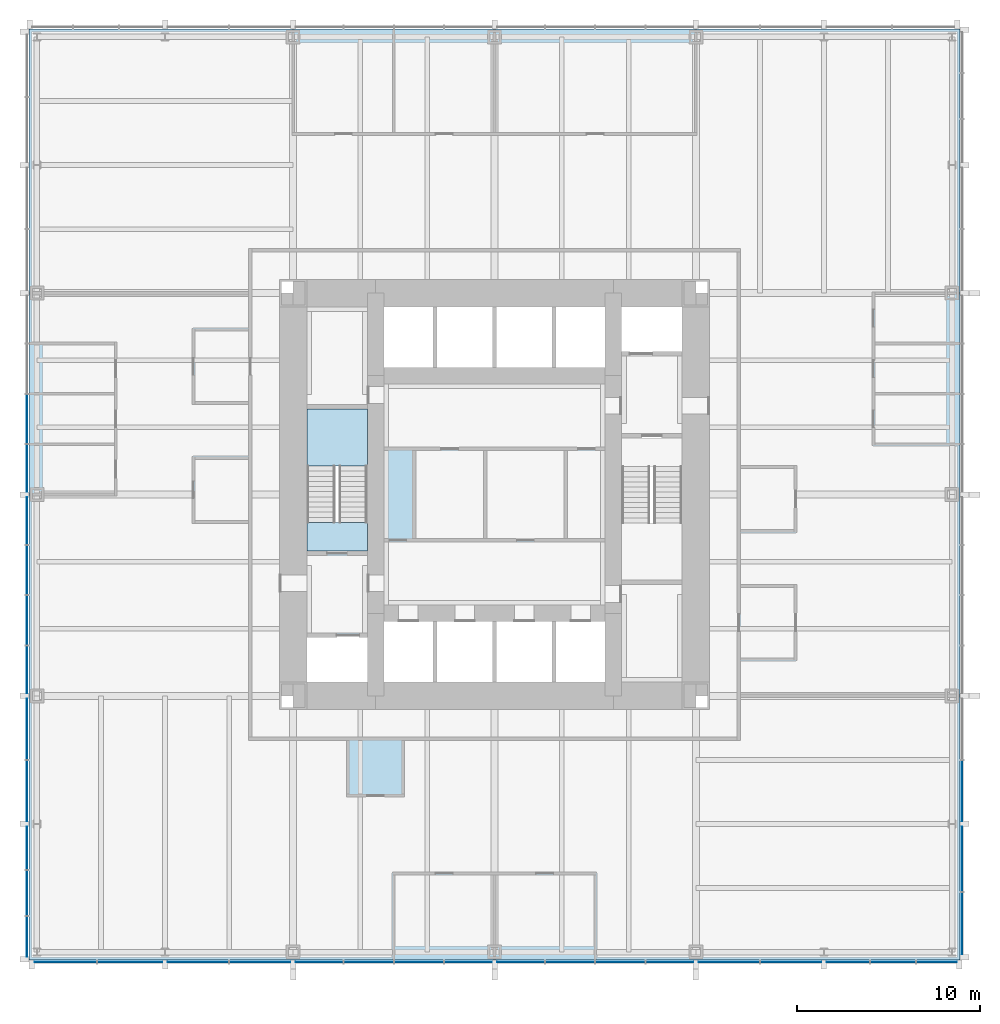
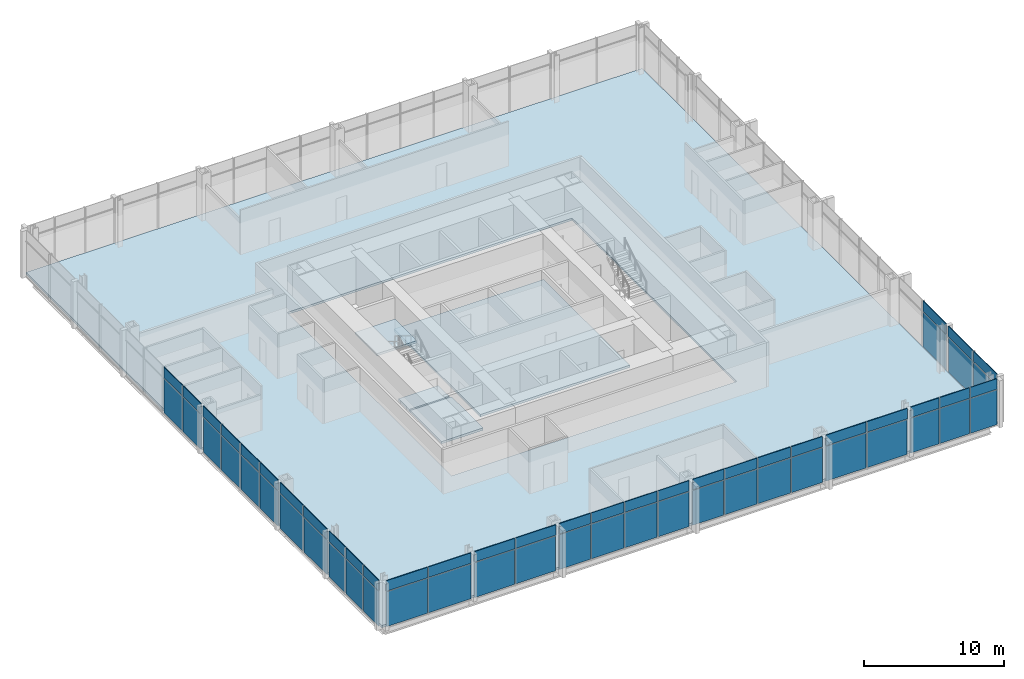
# One storey, part 7 of 12: 62 plates, 5 slabs, 4 elements without a shape of their own.
"""IFC4 building model written with IfcOpenShell, lengths in metres."""

import ifcopenshell
import ifcopenshell.guid

model = None  # the IFC model being written
_history = None  # IfcOwnerHistory: only IFC2X3 demands one
_inside = {}  # id of a spatial element -> (the spatial element, [elements in it])
_under = {}  # id of a project, library or spatial element -> (it, [spatial elements below it])
_declared = {}  # id of a project -> (the project, [libraries it declares])
_typed = {}  # id of a type object -> (the type object, [elements of that type])
_made_of = {}  # id of a material, layer set ... -> (it, [elements and type objects made of it])


def new_model(schema):
    """Start an empty IFC model of exactly this schema.

    Asked for "IFC4X3", IfcOpenShell would pick the latest addendum, in which some entities
    have other attributes; the version numbers below select the first issue.
    IFC2X3 requires an IfcOwnerHistory on every rooted entity: one is made here for all.
    """
    global model, _history
    if schema == "IFC4X3":
        model = ifcopenshell.file(schema_version=(4, 3, 0, 0))
    else:
        model = ifcopenshell.file(schema=schema)
    _inside.clear()
    _under.clear()
    _declared.clear()
    _typed.clear()
    _made_of.clear()
    _history = None
    if model.schema == "IFC2X3":
        org = make("IfcOrganization", Name="unknown")
        user = make(
            "IfcPersonAndOrganization",
            ThePerson=make("IfcPerson", FamilyName="unknown"),
            TheOrganization=org,
        )
        app = make(
            "IfcApplication",
            ApplicationDeveloper=org,
            Version="unknown",
            ApplicationFullName="unknown",
            ApplicationIdentifier="unknown",
        )
        _history = make(
            "IfcOwnerHistory",
            OwningUser=user,
            OwningApplication=app,
            ChangeAction="ADDED",
            CreationDate=0,
        )
    return model


def make(cls, **values):
    """One entity of the class cls with the attributes given. An attribute that is None is left unset."""
    return model.create_entity(
        cls, **{name: value for name, value in values.items() if value is not None}
    )


def rooted(cls, **values):
    """An entity with a GlobalId (a new one), such as an element, a storey or a relation."""
    return make(cls, GlobalId=ifcopenshell.guid.new(), OwnerHistory=_history, **values)


def si_unit(unit_type, name, prefix=None):
    """IfcSIUnit, for example si_unit("LENGTHUNIT", "METRE", prefix="MILLI")."""
    return make("IfcSIUnit", UnitType=unit_type, Prefix=prefix, Name=name)


def assignment(units):
    """IfcUnitAssignment: the units of a project."""
    return None if units is None else make("IfcUnitAssignment", Units=units)


def point(xyz):
    """IfcCartesianPoint."""
    return None if xyz is None else make("IfcCartesianPoint", Coordinates=xyz)


def direction(xyz):
    """IfcDirection."""
    return None if xyz is None else make("IfcDirection", DirectionRatios=xyz)


def frame(location, z_axis=None, x_axis=None):
    """IfcAxis2Placement3D, a coordinate frame: its origin and axes. An axis left out is left unset."""
    return make(
        "IfcAxis2Placement3D",
        Location=point(location),
        Axis=direction(z_axis),
        RefDirection=direction(x_axis),
    )


def frame_2d(location, x_axis=None):
    """IfcAxis2Placement2D, a coordinate frame in the plane: its origin and x axis."""
    return make(
        "IfcAxis2Placement2D", Location=point(location), RefDirection=direction(x_axis)
    )


def origin():
    """The frame at (0, 0, 0) with its axes left unset."""
    return frame((0.0, 0.0, 0.0))


def origin_2d():
    """The frame at (0, 0) in the plane with its x axis left unset."""
    return frame_2d((0.0, 0.0))


def place(relative_to, where):
    """IfcLocalPlacement: puts the frame where relative to a parent placement (None: the world)."""
    return make(
        "IfcLocalPlacement", PlacementRelTo=relative_to, RelativePlacement=where
    )


def context(
    kind, dimensions, precision=None, world=None, true_north=None, identifier=None
):
    """IfcGeometricRepresentationContext, for example the 3D "Model" context."""
    return make(
        "IfcGeometricRepresentationContext",
        ContextIdentifier=identifier,
        ContextType=kind,
        CoordinateSpaceDimension=dimensions,
        Precision=precision,
        WorldCoordinateSystem=world,
        TrueNorth=true_north,
    )


def subcontext(parent, identifier, kind, view, scale=None):
    """IfcGeometricRepresentationSubContext, for example "Body" below "Model"."""
    return make(
        "IfcGeometricRepresentationSubContext",
        ContextIdentifier=identifier,
        ContextType=kind,
        ParentContext=parent,
        TargetScale=scale,
        TargetView=view,
    )


def project(units=None, contexts=None):
    """IfcProject with its units and contexts."""
    return rooted(
        "IfcProject",
        Name="project",
        RepresentationContexts=contexts,
        UnitsInContext=assignment(units),
    )


def spatial(cls, under=None, at=None, **own):
    """A site, building, storey or space (cls), placed at a placement, below another one or the project."""
    s = rooted(cls, ObjectPlacement=at, **own)
    if under is not None:
        _under.setdefault(under.id(), (under, []))[1].append(s)
    return s


def polyline(points):
    """IfcPolyline through the points."""
    return make("IfcPolyline", Points=[point(p) for p in points])


def profile(cls, at=None, kind="AREA", **sizes):
    """A parametric profile (cls). Its sizes go by their IFC names, for example OverallWidth=200.0."""
    return make(cls, ProfileType=kind, Position=at, **sizes)


def rectangle(**sizes):
    """IfcRectangleProfileDef."""
    return profile("IfcRectangleProfileDef", **sizes)


def outline(outer, holes=None, kind="AREA"):
    """IfcArbitraryClosedProfileDef: a profile drawn as a closed curve; with holes, ...WithVoids."""
    if holes is None:
        return make("IfcArbitraryClosedProfileDef", ProfileType=kind, OuterCurve=outer)
    return make(
        "IfcArbitraryProfileDefWithVoids",
        ProfileType=kind,
        OuterCurve=outer,
        InnerCurves=holes,
    )


def extrude(swept, where, along, depth):
    """IfcExtrudedAreaSolid: the profile swept, set in the frame where, extruded along a direction by depth."""
    return make(
        "IfcExtrudedAreaSolid",
        SweptArea=swept,
        Position=where,
        ExtrudedDirection=direction(along),
        Depth=depth,
    )


def shape(context_of_items, identifier, shape_type, items):
    """IfcShapeRepresentation: the items that make up one representation, for example the "Body"."""
    return make(
        "IfcShapeRepresentation",
        ContextOfItems=context_of_items,
        RepresentationIdentifier=identifier,
        RepresentationType=shape_type,
        Items=items,
    )


def material(Name=None, Category=None):
    """IfcMaterial."""
    return make("IfcMaterial", Name=Name, Category=Category)


def layer(
    of_material, thickness, ventilated=None, Name=None, Category=None, Priority=None
):
    """IfcMaterialLayer: one layer of a wall or slab, of a material (None: an air gap)."""
    return make(
        "IfcMaterialLayer",
        Material=of_material,
        LayerThickness=thickness,
        IsVentilated=ventilated,
        Name=Name,
        Category=Category,
        Priority=Priority,
    )


def layer_set(layers, Name=None):
    """IfcMaterialLayerSet."""
    return make("IfcMaterialLayerSet", MaterialLayers=layers, LayerSetName=Name)


def made_of(thing, what):
    """Note that an element or type object is made of a material, layer set ...; save() writes the relation."""
    if what is not None:
        _made_of.setdefault(what.id(), (what, []))[1].append(thing)
    return thing


def type_object(cls, material=None, **own):
    """A type object (cls), such as IfcWallType, which elements share."""
    return made_of(rooted(cls, **own), material)


def element(
    cls,
    number,
    at=None,
    inside=None,
    cuts=None,
    type_object=None,
    material=None,
    context=None,
    identifier="Body",
    shape_type=None,
    held_by="IfcProductDefinitionShape",
    body=None,
    shapes=None,
    **own,
):
    """One element of the class cls, such as IfcWall. Its Tag is "e" and its number.

    at: its placement. inside: the storey or other place that contains it. cuts: it is an
    opening in that element (IfcRelVoidsElement). A single representation is given by context,
    identifier, shape_type and body (its items); several are given by shapes. held_by: the class
    of the entity that holds the representations. save() writes the other relations.
    """
    e = rooted(cls, Tag="e%d" % number, ObjectPlacement=at, **own)
    if body is not None:
        shapes = [shape(context, identifier, shape_type, body)]
    if shapes is not None:
        e.Representation = make(held_by, Representations=shapes)
    if inside is not None:
        _inside.setdefault(inside.id(), (inside, []))[1].append(e)
    if cuts is not None:
        rooted(
            "IfcRelVoidsElement", RelatingBuildingElement=cuts, RelatedOpeningElement=e
        )
    if type_object is not None:
        _typed.setdefault(type_object.id(), (type_object, []))[1].append(e)
    return made_of(e, material)


def aggregate(whole, parts):
    """IfcRelAggregates: a whole, such as a stair, and the parts it consists of."""
    return rooted("IfcRelAggregates", RelatingObject=whole, RelatedObjects=parts)


def save(model, path):
    """Write the relations noted so far, then the file.

    IfcRelAggregates (storeys below a building ...), IfcRelContainedInSpatialStructure (elements
    in a storey), IfcRelDefinesByType, IfcRelAssociatesMaterial and IfcRelDeclares: one each for
    every whole, place, type object, material and project.
    """
    for whole, parts in _under.values():
        aggregate(whole, parts)
    for where, things in _inside.values():
        rooted(
            "IfcRelContainedInSpatialStructure",
            RelatedElements=things,
            RelatingStructure=where,
        )
    for kind, things in _typed.values():
        rooted("IfcRelDefinesByType", RelatedObjects=things, RelatingType=kind)
    for what, things in _made_of.values():
        rooted("IfcRelAssociatesMaterial", RelatedObjects=things, RelatingMaterial=what)
    for by, libraries in _declared.values():
        rooted("IfcRelDeclares", RelatingContext=by, RelatedDefinitions=libraries)
    model.write(path)


model = new_model("IFC4")

# Units and contexts
model_context = context("Model", 3, precision=1e-05, world=origin(), true_north=direction((0.0, 1.0)))
body_context = subcontext(model_context, "Body", "Model", "MODEL_VIEW")
ifc_project = project(units=[si_unit("LENGTHUNIT", "METRE"), si_unit("AREAUNIT", "SQUARE_METRE"), si_unit("VOLUMEUNIT", "CUBIC_METRE"), si_unit("PLANEANGLEUNIT", "RADIAN"), si_unit("MASSUNIT", "GRAM", prefix="KILO")], contexts=[model_context])

# Site, building, storey
site_placement = place(None, origin())
site = spatial("IfcSite", under=ifc_project, at=site_placement, CompositionType="ELEMENT")
building_placement = place(site_placement, origin())
building = spatial("IfcBuilding", under=site, at=building_placement, Name="Trevanion Tower", CompositionType="ELEMENT")
storey_placement = place(building_placement, frame((0.0, 0.0, 65.199951171875)))
storey = spatial("IfcBuildingStorey", under=building, at=storey_placement, Name="L15", CompositionType="ELEMENT", Elevation=65.199951171875)

# Curtain wall, plates
ifc_material_1 = material(Name="Aluminium and glass", Category="aluminium")
curtain_wall_type = type_object("IfcCurtainWallType", Name="CW1 curtain wall", PredefinedType="USERDEFINED", material=ifc_material_1)
curtain_wall_1_placement = place(storey_placement, origin())
curtain_wall_1 = element("IfcCurtainWall", 1, at=curtain_wall_1_placement, inside=storey, type_object=curtain_wall_type, Name="CW1 L15 0", ObjectType="UNITISED CURTAIN WALL", PredefinedType="USERDEFINED")
ifc_material_2 = material(Name="Aluminium spandrel panel", Category="aluminium")
ifc_layer_1 = layer(ifc_material_2, 0.06005859375)
ifc_layer_set_1 = layer_set([ifc_layer_1], Name="CW1 spandrel panel")
plate_type_1 = type_object("IfcPlateType", Name="CW1 spandrel panel", PredefinedType="CURTAIN_PANEL", material=ifc_layer_set_1)
plate_1_placement = place(storey_placement, frame((25.550048828125, -23.433837890625, 2.99755859375), z_axis=(0.0, 0.0, 1.0), x_axis=(0.0, 1.0, 0.0)))
plate_1 = element("IfcPlate", 2, at=plate_1_placement, type_object=plate_type_1, Name="CW1 panel 1.2", PredefinedType="CURTAIN_PANEL", context=body_context, shape_type="SweptSolid", body=[
    extrude(rectangle(XDim=3.37255859375, YDim=0.06005859375, at=origin_2d()), origin(), (0.0, 0.0, 1.0), 0.91259765625),
])
plate_2_placement = place(storey_placement, frame((25.550048828125, -19.911376953125, 2.99755859375), z_axis=(0.0, 0.0, 1.0), x_axis=(0.0, 1.0, 0.0)))
plate_2 = element("IfcPlate", 3, at=plate_2_placement, type_object=plate_type_1, Name="CW1 panel 2.2", PredefinedType="CURTAIN_PANEL", context=body_context, shape_type="SweptSolid", body=[
    extrude(rectangle(XDim=3.5224609375, YDim=0.06005859375, at=origin_2d()), origin(), (0.0, 0.0, 1.0), 0.91259765625),
])
plate_3_placement = place(storey_placement, frame((25.550048828125, -16.19384765625, 2.99755859375), z_axis=(0.0, 0.0, 1.0), x_axis=(0.0, 1.0, 0.0)))
plate_3 = element("IfcPlate", 4, at=plate_3_placement, type_object=plate_type_1, Name="CW1 panel 3.2", PredefinedType="CURTAIN_PANEL", context=body_context, shape_type="SweptSolid", body=[
    extrude(rectangle(XDim=3.3125, YDim=0.06005859375, at=origin_2d()), origin(), (0.0, 0.0, 1.0), 0.91259765625),
])

curtain_wall_2_placement = place(storey_placement, origin())
curtain_wall_2 = element("IfcCurtainWall", 5, at=curtain_wall_2_placement, inside=storey, type_object=curtain_wall_type, Name="CW1 L15 2", ObjectType="UNITISED CURTAIN WALL", PredefinedType="USERDEFINED")
plate_4_placement = place(storey_placement, frame((-25.550048828125, 4.125, 2.99755859375), z_axis=(0.0, 0.0, 1.0), x_axis=(0.0, -1.0, 0.0)))
plate_4 = element("IfcPlate", 6, at=plate_4_placement, type_object=plate_type_1, Name="CW1 panel 7.2", PredefinedType="CURTAIN_PANEL", context=body_context, shape_type="SweptSolid", body=[
    extrude(rectangle(XDim=2.675048828125, YDim=0.06005859375, at=origin_2d()), origin(), (0.0, 0.0, 1.0), 0.91259765625),
])
plate_5_placement = place(storey_placement, frame((-25.550048828125, 1.43115234375, 2.99755859375), z_axis=(0.0, 0.0, 1.0), x_axis=(0.0, -1.0, 0.0)))
plate_5 = element("IfcPlate", 7, at=plate_5_placement, type_object=plate_type_1, Name="CW1 panel 8.2", PredefinedType="CURTAIN_PANEL", context=body_context, shape_type="SweptSolid", body=[
    extrude(rectangle(XDim=2.5625, YDim=0.06005859375, at=origin_2d()), origin(), (0.0, 0.0, 1.0), 0.91259765625),
])
plate_6_placement = place(storey_placement, frame((-25.550048828125, -1.43115234375, 2.99755859375), z_axis=(0.0, 0.0, 1.0), x_axis=(0.0, -1.0, 0.0)))
plate_6 = element("IfcPlate", 8, at=plate_6_placement, type_object=plate_type_1, Name="CW1 panel 9.2", PredefinedType="CURTAIN_PANEL", context=body_context, shape_type="SweptSolid", body=[
    extrude(rectangle(XDim=2.5625, YDim=0.06005859375, at=origin_2d()), origin(), (0.0, 0.0, 1.0), 0.91259765625),
])
plate_7_placement = place(storey_placement, frame((-25.550048828125, -4.125, 2.99755859375), z_axis=(0.0, 0.0, 1.0), x_axis=(0.0, -1.0, 0.0)))
plate_7 = element("IfcPlate", 9, at=plate_7_placement, type_object=plate_type_1, Name="CW1 panel 10.2", PredefinedType="CURTAIN_PANEL", context=body_context, shape_type="SweptSolid", body=[
    extrude(rectangle(XDim=2.675048828125, YDim=0.06005859375, at=origin_2d()), origin(), (0.0, 0.0, 1.0), 0.91259765625),
])
plate_8_placement = place(storey_placement, frame((-25.550048828125, -6.875, 2.99755859375), z_axis=(0.0, 0.0, 1.0), x_axis=(0.0, -1.0, 0.0)))
plate_8 = element("IfcPlate", 10, at=plate_8_placement, type_object=plate_type_1, Name="CW1 panel 11.2", PredefinedType="CURTAIN_PANEL", context=body_context, shape_type="SweptSolid", body=[
    extrude(rectangle(XDim=2.675048828125, YDim=0.06005859375, at=origin_2d()), origin(), (0.0, 0.0, 1.0), 0.91259765625),
])
plate_9_placement = place(storey_placement, frame((-25.550048828125, -9.56884765625, 2.99755859375), z_axis=(0.0, 0.0, 1.0), x_axis=(0.0, -1.0, 0.0)))
plate_9 = element("IfcPlate", 11, at=plate_9_placement, type_object=plate_type_1, Name="CW1 panel 12.2", PredefinedType="CURTAIN_PANEL", context=body_context, shape_type="SweptSolid", body=[
    extrude(rectangle(XDim=2.5625, YDim=0.06005859375, at=origin_2d()), origin(), (0.0, 0.0, 1.0), 0.91259765625),
])
plate_10_placement = place(storey_placement, frame((-25.550048828125, -12.80615234375, 2.99755859375), z_axis=(0.0, 0.0, 1.0), x_axis=(0.0, -1.0, 0.0)))
plate_10 = element("IfcPlate", 12, at=plate_10_placement, type_object=plate_type_1, Name="CW1 panel 13.2", PredefinedType="CURTAIN_PANEL", context=body_context, shape_type="SweptSolid", body=[
    extrude(rectangle(XDim=3.3125, YDim=0.06005859375, at=origin_2d()), origin(), (0.0, 0.0, 1.0), 0.91259765625),
])
plate_11_placement = place(storey_placement, frame((-25.550048828125, -16.19384765625, 2.99755859375), z_axis=(0.0, 0.0, 1.0), x_axis=(0.0, -1.0, 0.0)))
plate_11 = element("IfcPlate", 13, at=plate_11_placement, type_object=plate_type_1, Name="CW1 panel 14.2", PredefinedType="CURTAIN_PANEL", context=body_context, shape_type="SweptSolid", body=[
    extrude(rectangle(XDim=3.3125, YDim=0.06005859375, at=origin_2d()), origin(), (0.0, 0.0, 1.0), 0.91259765625),
])
plate_12_placement = place(storey_placement, frame((-25.550048828125, -19.314697265625, 2.99755859375), z_axis=(0.0, 0.0, 1.0), x_axis=(0.0, -1.0, 0.0)))
plate_12 = element("IfcPlate", 14, at=plate_12_placement, type_object=plate_type_1, Name="CW1 panel 15.2", PredefinedType="CURTAIN_PANEL", context=body_context, shape_type="SweptSolid", body=[
    extrude(rectangle(XDim=2.3291015625, YDim=0.06005859375, at=origin_2d()), origin(), (0.0, 0.0, 1.0), 0.91259765625),
])
plate_13_placement = place(storey_placement, frame((-25.550048828125, -21.77490234375, 2.99755859375), z_axis=(0.0, 0.0, 1.0), x_axis=(0.0, -1.0, 0.0)))
plate_13 = element("IfcPlate", 15, at=plate_13_placement, type_object=plate_type_1, Name="CW1 panel 16.2", PredefinedType="CURTAIN_PANEL", context=body_context, shape_type="SweptSolid", body=[
    extrude(rectangle(XDim=2.441650390625, YDim=0.06005859375, at=origin_2d()), origin(), (0.0, 0.0, 1.0), 0.91259765625),
])
plate_14_placement = place(storey_placement, frame((-25.550048828125, -24.160400390625, 2.99755859375), z_axis=(0.0, 0.0, 1.0), x_axis=(0.0, -1.0, 0.0)))
plate_14 = element("IfcPlate", 16, at=plate_14_placement, type_object=plate_type_1, Name="CW1 panel 17.2", PredefinedType="CURTAIN_PANEL", context=body_context, shape_type="SweptSolid", body=[
    extrude(rectangle(XDim=2.17919921875, YDim=0.06005859375, at=origin_2d()), origin(), (0.0, 0.0, 1.0), 0.91259765625),
])

curtain_wall_3_placement = place(storey_placement, origin())
curtain_wall_3 = element("IfcCurtainWall", 17, at=curtain_wall_3_placement, inside=storey, type_object=curtain_wall_type, Name="CW1 L15 3", ObjectType="UNITISED CURTAIN WALL", PredefinedType="USERDEFINED")
plate_15_placement = place(storey_placement, frame((-23.433837890625, -25.550048828125, 2.99755859375), z_axis=(0.0, 0.0, 1.0), x_axis=(1.0, 0.0, 0.0)))
plate_15 = element("IfcPlate", 18, at=plate_15_placement, type_object=plate_type_1, Name="CW1 panel 1.2", PredefinedType="CURTAIN_PANEL", context=body_context, shape_type="SweptSolid", body=[
    extrude(rectangle(XDim=3.37255859375, YDim=0.06005859375, at=origin_2d()), origin(), (0.0, 0.0, 1.0), 0.91259765625),
])
plate_16_placement = place(storey_placement, frame((-19.911376953125, -25.550048828125, 2.99755859375), z_axis=(0.0, 0.0, 1.0), x_axis=(1.0, 0.0, 0.0)))
plate_16 = element("IfcPlate", 19, at=plate_16_placement, type_object=plate_type_1, Name="CW1 panel 2.2", PredefinedType="CURTAIN_PANEL", context=body_context, shape_type="SweptSolid", body=[
    extrude(rectangle(XDim=3.5224609375, YDim=0.06005859375, at=origin_2d()), origin(), (0.0, 0.0, 1.0), 0.91259765625),
])
plate_17_placement = place(storey_placement, frame((-16.19384765625, -25.550048828125, 2.99755859375), z_axis=(0.0, 0.0, 1.0), x_axis=(1.0, 0.0, 0.0)))
plate_17 = element("IfcPlate", 20, at=plate_17_placement, type_object=plate_type_1, Name="CW1 panel 3.2", PredefinedType="CURTAIN_PANEL", context=body_context, shape_type="SweptSolid", body=[
    extrude(rectangle(XDim=3.3125, YDim=0.06005859375, at=origin_2d()), origin(), (0.0, 0.0, 1.0), 0.91259765625),
])
plate_18_placement = place(storey_placement, frame((-12.806396484375, -25.550048828125, 2.99755859375), z_axis=(0.0, 0.0, 1.0), x_axis=(1.0, 0.0, 0.0)))
plate_18 = element("IfcPlate", 21, at=plate_18_placement, type_object=plate_type_1, Name="CW1 panel 4.2", PredefinedType="CURTAIN_PANEL", context=body_context, shape_type="SweptSolid", body=[
    extrude(rectangle(XDim=3.3125, YDim=0.06005859375, at=origin_2d()), origin(), (0.0, 0.0, 1.0), 0.91259765625),
])
plate_19_placement = place(storey_placement, frame((-9.56884765625, -25.550048828125, 2.99755859375), z_axis=(0.0, 0.0, 1.0), x_axis=(1.0, 0.0, 0.0)))
plate_19 = element("IfcPlate", 22, at=plate_19_placement, type_object=plate_type_1, Name="CW1 panel 5.2", PredefinedType="CURTAIN_PANEL", context=body_context, shape_type="SweptSolid", body=[
    extrude(rectangle(XDim=2.5625, YDim=0.06005859375, at=origin_2d()), origin(), (0.0, 0.0, 1.0), 0.91259765625),
])
plate_20_placement = place(storey_placement, frame((-6.875, -25.550048828125, 2.99755859375), z_axis=(0.0, 0.0, 1.0), x_axis=(1.0, 0.0, 0.0)))
plate_20 = element("IfcPlate", 23, at=plate_20_placement, type_object=plate_type_1, Name="CW1 panel 6.2", PredefinedType="CURTAIN_PANEL", context=body_context, shape_type="SweptSolid", body=[
    extrude(rectangle(XDim=2.675048828125, YDim=0.06005859375, at=origin_2d()), origin(), (0.0, 0.0, 1.0), 0.91259765625),
])
plate_21_placement = place(storey_placement, frame((-4.125, -25.550048828125, 2.99755859375), z_axis=(0.0, 0.0, 1.0), x_axis=(1.0, 0.0, 0.0)))
plate_21 = element("IfcPlate", 24, at=plate_21_placement, type_object=plate_type_1, Name="CW1 panel 7.2", PredefinedType="CURTAIN_PANEL", context=body_context, shape_type="SweptSolid", body=[
    extrude(rectangle(XDim=2.675048828125, YDim=0.06005859375, at=origin_2d()), origin(), (0.0, 0.0, 1.0), 0.91259765625),
])
plate_22_placement = place(storey_placement, frame((-1.43115234375, -25.550048828125, 2.99755859375), z_axis=(0.0, 0.0, 1.0), x_axis=(1.0, 0.0, 0.0)))
plate_22 = element("IfcPlate", 25, at=plate_22_placement, type_object=plate_type_1, Name="CW1 panel 8.2", PredefinedType="CURTAIN_PANEL", context=body_context, shape_type="SweptSolid", body=[
    extrude(rectangle(XDim=2.5625, YDim=0.06005859375, at=origin_2d()), origin(), (0.0, 0.0, 1.0), 0.91259765625),
])
plate_23_placement = place(storey_placement, frame((1.43115234375, -25.550048828125, 2.99755859375), z_axis=(0.0, 0.0, 1.0), x_axis=(1.0, 0.0, 0.0)))
plate_23 = element("IfcPlate", 26, at=plate_23_placement, type_object=plate_type_1, Name="CW1 panel 9.2", PredefinedType="CURTAIN_PANEL", context=body_context, shape_type="SweptSolid", body=[
    extrude(rectangle(XDim=2.5625, YDim=0.06005859375, at=origin_2d()), origin(), (0.0, 0.0, 1.0), 0.91259765625),
])
plate_24_placement = place(storey_placement, frame((4.125, -25.550048828125, 2.99755859375), z_axis=(0.0, 0.0, 1.0), x_axis=(1.0, 0.0, 0.0)))
plate_24 = element("IfcPlate", 27, at=plate_24_placement, type_object=plate_type_1, Name="CW1 panel 10.2", PredefinedType="CURTAIN_PANEL", context=body_context, shape_type="SweptSolid", body=[
    extrude(rectangle(XDim=2.675048828125, YDim=0.06005859375, at=origin_2d()), origin(), (0.0, 0.0, 1.0), 0.91259765625),
])
plate_25_placement = place(storey_placement, frame((6.875, -25.550048828125, 2.99755859375), z_axis=(0.0, 0.0, 1.0), x_axis=(1.0, 0.0, 0.0)))
plate_25 = element("IfcPlate", 28, at=plate_25_placement, type_object=plate_type_1, Name="CW1 panel 11.2", PredefinedType="CURTAIN_PANEL", context=body_context, shape_type="SweptSolid", body=[
    extrude(rectangle(XDim=2.675048828125, YDim=0.06005859375, at=origin_2d()), origin(), (0.0, 0.0, 1.0), 0.91259765625),
])
plate_26_placement = place(storey_placement, frame((9.56884765625, -25.550048828125, 2.99755859375), z_axis=(0.0, 0.0, 1.0), x_axis=(1.0, 0.0, 0.0)))
plate_26 = element("IfcPlate", 29, at=plate_26_placement, type_object=plate_type_1, Name="CW1 panel 12.2", PredefinedType="CURTAIN_PANEL", context=body_context, shape_type="SweptSolid", body=[
    extrude(rectangle(XDim=2.5625, YDim=0.06005859375, at=origin_2d()), origin(), (0.0, 0.0, 1.0), 0.91259765625),
])
plate_27_placement = place(storey_placement, frame((12.80615234375, -25.550048828125, 2.99755859375), z_axis=(0.0, 0.0, 1.0), x_axis=(1.0, 0.0, 0.0)))
plate_27 = element("IfcPlate", 30, at=plate_27_placement, type_object=plate_type_1, Name="CW1 panel 13.2", PredefinedType="CURTAIN_PANEL", context=body_context, shape_type="SweptSolid", body=[
    extrude(rectangle(XDim=3.3125, YDim=0.06005859375, at=origin_2d()), origin(), (0.0, 0.0, 1.0), 0.91259765625),
])
plate_28_placement = place(storey_placement, frame((16.19384765625, -25.550048828125, 2.99755859375), z_axis=(0.0, 0.0, 1.0), x_axis=(1.0, 0.0, 0.0)))
plate_28 = element("IfcPlate", 31, at=plate_28_placement, type_object=plate_type_1, Name="CW1 panel 14.2", PredefinedType="CURTAIN_PANEL", context=body_context, shape_type="SweptSolid", body=[
    extrude(rectangle(XDim=3.3125, YDim=0.06005859375, at=origin_2d()), origin(), (0.0, 0.0, 1.0), 0.91259765625),
])
plate_29_placement = place(storey_placement, frame((19.314697265625, -25.550048828125, 2.99755859375), z_axis=(0.0, 0.0, 1.0), x_axis=(1.0, 0.0, 0.0)))
plate_29 = element("IfcPlate", 32, at=plate_29_placement, type_object=plate_type_1, Name="CW1 panel 15.2", PredefinedType="CURTAIN_PANEL", context=body_context, shape_type="SweptSolid", body=[
    extrude(rectangle(XDim=2.3291015625, YDim=0.06005859375, at=origin_2d()), origin(), (0.0, 0.0, 1.0), 0.91259765625),
])
plate_30_placement = place(storey_placement, frame((21.77490234375, -25.550048828125, 2.99755859375), z_axis=(0.0, 0.0, 1.0), x_axis=(1.0, 0.0, 0.0)))
plate_30 = element("IfcPlate", 33, at=plate_30_placement, type_object=plate_type_1, Name="CW1 panel 16.2", PredefinedType="CURTAIN_PANEL", context=body_context, shape_type="SweptSolid", body=[
    extrude(rectangle(XDim=2.441650390625, YDim=0.06005859375, at=origin_2d()), origin(), (0.0, 0.0, 1.0), 0.91259765625),
])
plate_31_placement = place(storey_placement, frame((24.160400390625, -25.550048828125, 2.99755859375), z_axis=(0.0, 0.0, 1.0), x_axis=(1.0, 0.0, 0.0)))
plate_31 = element("IfcPlate", 34, at=plate_31_placement, type_object=plate_type_1, Name="CW1 panel 17.2", PredefinedType="CURTAIN_PANEL", context=body_context, shape_type="SweptSolid", body=[
    extrude(rectangle(XDim=2.17919921875, YDim=0.06005859375, at=origin_2d()), origin(), (0.0, 0.0, 1.0), 0.91259765625),
])

# Plate
ifc_material_3 = material(Name="Insulating glass unit", Category="glass")
ifc_layer_2 = layer(ifc_material_3, 0.028076171875)
ifc_layer_set_2 = layer_set([ifc_layer_2], Name="CW1 vision panel")
plate_type_2 = type_object("IfcPlateType", Name="CW1 vision panel", PredefinedType="CURTAIN_PANEL", material=ifc_layer_set_2)
plate_32_placement = place(storey_placement, frame((25.550048828125, -23.433837890625, -0.114990234375), z_axis=(0.0, 0.0, 1.0), x_axis=(0.0, 1.0, 0.0)))
plate_32 = element("IfcPlate", 35, at=plate_32_placement, type_object=plate_type_2, Name="CW1 panel 1.1", PredefinedType="CURTAIN_PANEL", context=body_context, shape_type="SweptSolid", body=[
    extrude(rectangle(XDim=3.37255859375, YDim=0.028076171875, at=origin_2d()), origin(), (0.0, 0.0, 1.0), 3.03759765625),
])

plate_33_placement = place(storey_placement, frame((25.550048828125, -19.911376953125, -0.114990234375), z_axis=(0.0, 0.0, 1.0), x_axis=(0.0, 1.0, 0.0)))
plate_33 = element("IfcPlate", 36, at=plate_33_placement, type_object=plate_type_2, Name="CW1 panel 2.1", PredefinedType="CURTAIN_PANEL", context=body_context, shape_type="SweptSolid", body=[
    extrude(rectangle(XDim=3.5224609375, YDim=0.028076171875, at=origin_2d()), origin(), (0.0, 0.0, 1.0), 3.03759765625),
])

plate_34_placement = place(storey_placement, frame((25.550048828125, -16.19384765625, -0.114990234375), z_axis=(0.0, 0.0, 1.0), x_axis=(0.0, 1.0, 0.0)))
plate_34 = element("IfcPlate", 37, at=plate_34_placement, type_object=plate_type_2, Name="CW1 panel 3.1", PredefinedType="CURTAIN_PANEL", context=body_context, shape_type="SweptSolid", body=[
    extrude(rectangle(XDim=3.3125, YDim=0.028076171875, at=origin_2d()), origin(), (0.0, 0.0, 1.0), 3.03759765625),
])

aggregate(curtain_wall_1, [plate_32, plate_1, plate_33, plate_2, plate_34, plate_3])

plate_35_placement = place(storey_placement, frame((-25.550048828125, 4.125, -0.114990234375), z_axis=(0.0, 0.0, 1.0), x_axis=(0.0, -1.0, 0.0)))
plate_35 = element("IfcPlate", 38, at=plate_35_placement, type_object=plate_type_2, Name="CW1 panel 7.1", PredefinedType="CURTAIN_PANEL", context=body_context, shape_type="SweptSolid", body=[
    extrude(rectangle(XDim=2.675048828125, YDim=0.028076171875, at=origin_2d()), origin(), (0.0, 0.0, 1.0), 3.03759765625),
])

plate_36_placement = place(storey_placement, frame((-25.550048828125, 1.43115234375, -0.114990234375), z_axis=(0.0, 0.0, 1.0), x_axis=(0.0, -1.0, 0.0)))
plate_36 = element("IfcPlate", 39, at=plate_36_placement, type_object=plate_type_2, Name="CW1 panel 8.1", PredefinedType="CURTAIN_PANEL", context=body_context, shape_type="SweptSolid", body=[
    extrude(rectangle(XDim=2.5625, YDim=0.028076171875, at=origin_2d()), origin(), (0.0, 0.0, 1.0), 3.03759765625),
])

plate_37_placement = place(storey_placement, frame((-25.550048828125, -1.43115234375, -0.114990234375), z_axis=(0.0, 0.0, 1.0), x_axis=(0.0, -1.0, 0.0)))
plate_37 = element("IfcPlate", 40, at=plate_37_placement, type_object=plate_type_2, Name="CW1 panel 9.1", PredefinedType="CURTAIN_PANEL", context=body_context, shape_type="SweptSolid", body=[
    extrude(rectangle(XDim=2.5625, YDim=0.028076171875, at=origin_2d()), origin(), (0.0, 0.0, 1.0), 3.03759765625),
])

plate_38_placement = place(storey_placement, frame((-25.550048828125, -4.125, -0.114990234375), z_axis=(0.0, 0.0, 1.0), x_axis=(0.0, -1.0, 0.0)))
plate_38 = element("IfcPlate", 41, at=plate_38_placement, type_object=plate_type_2, Name="CW1 panel 10.1", PredefinedType="CURTAIN_PANEL", context=body_context, shape_type="SweptSolid", body=[
    extrude(rectangle(XDim=2.675048828125, YDim=0.028076171875, at=origin_2d()), origin(), (0.0, 0.0, 1.0), 3.03759765625),
])

plate_39_placement = place(storey_placement, frame((-25.550048828125, -6.875, -0.114990234375), z_axis=(0.0, 0.0, 1.0), x_axis=(0.0, -1.0, 0.0)))
plate_39 = element("IfcPlate", 42, at=plate_39_placement, type_object=plate_type_2, Name="CW1 panel 11.1", PredefinedType="CURTAIN_PANEL", context=body_context, shape_type="SweptSolid", body=[
    extrude(rectangle(XDim=2.675048828125, YDim=0.028076171875, at=origin_2d()), origin(), (0.0, 0.0, 1.0), 3.03759765625),
])

plate_40_placement = place(storey_placement, frame((-25.550048828125, -9.56884765625, -0.114990234375), z_axis=(0.0, 0.0, 1.0), x_axis=(0.0, -1.0, 0.0)))
plate_40 = element("IfcPlate", 43, at=plate_40_placement, type_object=plate_type_2, Name="CW1 panel 12.1", PredefinedType="CURTAIN_PANEL", context=body_context, shape_type="SweptSolid", body=[
    extrude(rectangle(XDim=2.5625, YDim=0.028076171875, at=origin_2d()), origin(), (0.0, 0.0, 1.0), 3.03759765625),
])

plate_41_placement = place(storey_placement, frame((-25.550048828125, -12.80615234375, -0.114990234375), z_axis=(0.0, 0.0, 1.0), x_axis=(0.0, -1.0, 0.0)))
plate_41 = element("IfcPlate", 44, at=plate_41_placement, type_object=plate_type_2, Name="CW1 panel 13.1", PredefinedType="CURTAIN_PANEL", context=body_context, shape_type="SweptSolid", body=[
    extrude(rectangle(XDim=3.3125, YDim=0.028076171875, at=origin_2d()), origin(), (0.0, 0.0, 1.0), 3.03759765625),
])

plate_42_placement = place(storey_placement, frame((-25.550048828125, -16.19384765625, -0.114990234375), z_axis=(0.0, 0.0, 1.0), x_axis=(0.0, -1.0, 0.0)))
plate_42 = element("IfcPlate", 45, at=plate_42_placement, type_object=plate_type_2, Name="CW1 panel 14.1", PredefinedType="CURTAIN_PANEL", context=body_context, shape_type="SweptSolid", body=[
    extrude(rectangle(XDim=3.3125, YDim=0.028076171875, at=origin_2d()), origin(), (0.0, 0.0, 1.0), 3.03759765625),
])

plate_43_placement = place(storey_placement, frame((-25.550048828125, -19.314697265625, -0.114990234375), z_axis=(0.0, 0.0, 1.0), x_axis=(0.0, -1.0, 0.0)))
plate_43 = element("IfcPlate", 46, at=plate_43_placement, type_object=plate_type_2, Name="CW1 panel 15.1", PredefinedType="CURTAIN_PANEL", context=body_context, shape_type="SweptSolid", body=[
    extrude(rectangle(XDim=2.3291015625, YDim=0.028076171875, at=origin_2d()), origin(), (0.0, 0.0, 1.0), 3.03759765625),
])

plate_44_placement = place(storey_placement, frame((-25.550048828125, -21.77490234375, -0.114990234375), z_axis=(0.0, 0.0, 1.0), x_axis=(0.0, -1.0, 0.0)))
plate_44 = element("IfcPlate", 47, at=plate_44_placement, type_object=plate_type_2, Name="CW1 panel 16.1", PredefinedType="CURTAIN_PANEL", context=body_context, shape_type="SweptSolid", body=[
    extrude(rectangle(XDim=2.441650390625, YDim=0.028076171875, at=origin_2d()), origin(), (0.0, 0.0, 1.0), 3.03759765625),
])

plate_45_placement = place(storey_placement, frame((-25.550048828125, -24.160400390625, -0.114990234375), z_axis=(0.0, 0.0, 1.0), x_axis=(0.0, -1.0, 0.0)))
plate_45 = element("IfcPlate", 48, at=plate_45_placement, type_object=plate_type_2, Name="CW1 panel 17.1", PredefinedType="CURTAIN_PANEL", context=body_context, shape_type="SweptSolid", body=[
    extrude(rectangle(XDim=2.17919921875, YDim=0.028076171875, at=origin_2d()), origin(), (0.0, 0.0, 1.0), 3.03759765625),
])

aggregate(curtain_wall_2, [plate_35, plate_4, plate_36, plate_5, plate_37, plate_6, plate_38, plate_7, plate_39, plate_8, plate_40, plate_9, plate_41, plate_10, plate_42, plate_11, plate_43, plate_12, plate_44, plate_13, plate_45, plate_14])

plate_46_placement = place(storey_placement, frame((-23.433837890625, -25.550048828125, -0.114990234375), z_axis=(0.0, 0.0, 1.0), x_axis=(1.0, 0.0, 0.0)))
plate_46 = element("IfcPlate", 49, at=plate_46_placement, type_object=plate_type_2, Name="CW1 panel 1.1", PredefinedType="CURTAIN_PANEL", context=body_context, shape_type="SweptSolid", body=[
    extrude(rectangle(XDim=3.37255859375, YDim=0.028076171875, at=origin_2d()), origin(), (0.0, 0.0, 1.0), 3.03759765625),
])

plate_47_placement = place(storey_placement, frame((-19.911376953125, -25.550048828125, -0.114990234375), z_axis=(0.0, 0.0, 1.0), x_axis=(1.0, 0.0, 0.0)))
plate_47 = element("IfcPlate", 50, at=plate_47_placement, type_object=plate_type_2, Name="CW1 panel 2.1", PredefinedType="CURTAIN_PANEL", context=body_context, shape_type="SweptSolid", body=[
    extrude(rectangle(XDim=3.5224609375, YDim=0.028076171875, at=origin_2d()), origin(), (0.0, 0.0, 1.0), 3.03759765625),
])

plate_48_placement = place(storey_placement, frame((-16.19384765625, -25.550048828125, -0.114990234375), z_axis=(0.0, 0.0, 1.0), x_axis=(1.0, 0.0, 0.0)))
plate_48 = element("IfcPlate", 51, at=plate_48_placement, type_object=plate_type_2, Name="CW1 panel 3.1", PredefinedType="CURTAIN_PANEL", context=body_context, shape_type="SweptSolid", body=[
    extrude(rectangle(XDim=3.3125, YDim=0.028076171875, at=origin_2d()), origin(), (0.0, 0.0, 1.0), 3.03759765625),
])

plate_49_placement = place(storey_placement, frame((-12.806396484375, -25.550048828125, -0.114990234375), z_axis=(0.0, 0.0, 1.0), x_axis=(1.0, 0.0, 0.0)))
plate_49 = element("IfcPlate", 52, at=plate_49_placement, type_object=plate_type_2, Name="CW1 panel 4.1", PredefinedType="CURTAIN_PANEL", context=body_context, shape_type="SweptSolid", body=[
    extrude(rectangle(XDim=3.3125, YDim=0.028076171875, at=origin_2d()), origin(), (0.0, 0.0, 1.0), 3.03759765625),
])

plate_50_placement = place(storey_placement, frame((-9.56884765625, -25.550048828125, -0.114990234375), z_axis=(0.0, 0.0, 1.0), x_axis=(1.0, 0.0, 0.0)))
plate_50 = element("IfcPlate", 53, at=plate_50_placement, type_object=plate_type_2, Name="CW1 panel 5.1", PredefinedType="CURTAIN_PANEL", context=body_context, shape_type="SweptSolid", body=[
    extrude(rectangle(XDim=2.5625, YDim=0.028076171875, at=origin_2d()), origin(), (0.0, 0.0, 1.0), 3.03759765625),
])

plate_51_placement = place(storey_placement, frame((-6.875, -25.550048828125, -0.114990234375), z_axis=(0.0, 0.0, 1.0), x_axis=(1.0, 0.0, 0.0)))
plate_51 = element("IfcPlate", 54, at=plate_51_placement, type_object=plate_type_2, Name="CW1 panel 6.1", PredefinedType="CURTAIN_PANEL", context=body_context, shape_type="SweptSolid", body=[
    extrude(rectangle(XDim=2.675048828125, YDim=0.028076171875, at=origin_2d()), origin(), (0.0, 0.0, 1.0), 3.03759765625),
])

plate_52_placement = place(storey_placement, frame((-4.125, -25.550048828125, -0.114990234375), z_axis=(0.0, 0.0, 1.0), x_axis=(1.0, 0.0, 0.0)))
plate_52 = element("IfcPlate", 55, at=plate_52_placement, type_object=plate_type_2, Name="CW1 panel 7.1", PredefinedType="CURTAIN_PANEL", context=body_context, shape_type="SweptSolid", body=[
    extrude(rectangle(XDim=2.675048828125, YDim=0.028076171875, at=origin_2d()), origin(), (0.0, 0.0, 1.0), 3.03759765625),
])

plate_53_placement = place(storey_placement, frame((-1.43115234375, -25.550048828125, -0.114990234375), z_axis=(0.0, 0.0, 1.0), x_axis=(1.0, 0.0, 0.0)))
plate_53 = element("IfcPlate", 56, at=plate_53_placement, type_object=plate_type_2, Name="CW1 panel 8.1", PredefinedType="CURTAIN_PANEL", context=body_context, shape_type="SweptSolid", body=[
    extrude(rectangle(XDim=2.5625, YDim=0.028076171875, at=origin_2d()), origin(), (0.0, 0.0, 1.0), 3.03759765625),
])

plate_54_placement = place(storey_placement, frame((1.43115234375, -25.550048828125, -0.114990234375), z_axis=(0.0, 0.0, 1.0), x_axis=(1.0, 0.0, 0.0)))
plate_54 = element("IfcPlate", 57, at=plate_54_placement, type_object=plate_type_2, Name="CW1 panel 9.1", PredefinedType="CURTAIN_PANEL", context=body_context, shape_type="SweptSolid", body=[
    extrude(rectangle(XDim=2.5625, YDim=0.028076171875, at=origin_2d()), origin(), (0.0, 0.0, 1.0), 3.03759765625),
])

plate_55_placement = place(storey_placement, frame((4.125, -25.550048828125, -0.114990234375), z_axis=(0.0, 0.0, 1.0), x_axis=(1.0, 0.0, 0.0)))
plate_55 = element("IfcPlate", 58, at=plate_55_placement, type_object=plate_type_2, Name="CW1 panel 10.1", PredefinedType="CURTAIN_PANEL", context=body_context, shape_type="SweptSolid", body=[
    extrude(rectangle(XDim=2.675048828125, YDim=0.028076171875, at=origin_2d()), origin(), (0.0, 0.0, 1.0), 3.03759765625),
])

plate_56_placement = place(storey_placement, frame((6.875, -25.550048828125, -0.114990234375), z_axis=(0.0, 0.0, 1.0), x_axis=(1.0, 0.0, 0.0)))
plate_56 = element("IfcPlate", 59, at=plate_56_placement, type_object=plate_type_2, Name="CW1 panel 11.1", PredefinedType="CURTAIN_PANEL", context=body_context, shape_type="SweptSolid", body=[
    extrude(rectangle(XDim=2.675048828125, YDim=0.028076171875, at=origin_2d()), origin(), (0.0, 0.0, 1.0), 3.03759765625),
])

plate_57_placement = place(storey_placement, frame((9.56884765625, -25.550048828125, -0.114990234375), z_axis=(0.0, 0.0, 1.0), x_axis=(1.0, 0.0, 0.0)))
plate_57 = element("IfcPlate", 60, at=plate_57_placement, type_object=plate_type_2, Name="CW1 panel 12.1", PredefinedType="CURTAIN_PANEL", context=body_context, shape_type="SweptSolid", body=[
    extrude(rectangle(XDim=2.5625, YDim=0.028076171875, at=origin_2d()), origin(), (0.0, 0.0, 1.0), 3.03759765625),
])

plate_58_placement = place(storey_placement, frame((12.80615234375, -25.550048828125, -0.114990234375), z_axis=(0.0, 0.0, 1.0), x_axis=(1.0, 0.0, 0.0)))
plate_58 = element("IfcPlate", 61, at=plate_58_placement, type_object=plate_type_2, Name="CW1 panel 13.1", PredefinedType="CURTAIN_PANEL", context=body_context, shape_type="SweptSolid", body=[
    extrude(rectangle(XDim=3.3125, YDim=0.028076171875, at=origin_2d()), origin(), (0.0, 0.0, 1.0), 3.03759765625),
])

plate_59_placement = place(storey_placement, frame((16.19384765625, -25.550048828125, -0.114990234375), z_axis=(0.0, 0.0, 1.0), x_axis=(1.0, 0.0, 0.0)))
plate_59 = element("IfcPlate", 62, at=plate_59_placement, type_object=plate_type_2, Name="CW1 panel 14.1", PredefinedType="CURTAIN_PANEL", context=body_context, shape_type="SweptSolid", body=[
    extrude(rectangle(XDim=3.3125, YDim=0.028076171875, at=origin_2d()), origin(), (0.0, 0.0, 1.0), 3.03759765625),
])

plate_60_placement = place(storey_placement, frame((19.314697265625, -25.550048828125, -0.114990234375), z_axis=(0.0, 0.0, 1.0), x_axis=(1.0, 0.0, 0.0)))
plate_60 = element("IfcPlate", 63, at=plate_60_placement, type_object=plate_type_2, Name="CW1 panel 15.1", PredefinedType="CURTAIN_PANEL", context=body_context, shape_type="SweptSolid", body=[
    extrude(rectangle(XDim=2.3291015625, YDim=0.028076171875, at=origin_2d()), origin(), (0.0, 0.0, 1.0), 3.03759765625),
])

plate_61_placement = place(storey_placement, frame((21.77490234375, -25.550048828125, -0.114990234375), z_axis=(0.0, 0.0, 1.0), x_axis=(1.0, 0.0, 0.0)))
plate_61 = element("IfcPlate", 64, at=plate_61_placement, type_object=plate_type_2, Name="CW1 panel 16.1", PredefinedType="CURTAIN_PANEL", context=body_context, shape_type="SweptSolid", body=[
    extrude(rectangle(XDim=2.441650390625, YDim=0.028076171875, at=origin_2d()), origin(), (0.0, 0.0, 1.0), 3.03759765625),
])

plate_62_placement = place(storey_placement, frame((24.160400390625, -25.550048828125, -0.114990234375), z_axis=(0.0, 0.0, 1.0), x_axis=(1.0, 0.0, 0.0)))
plate_62 = element("IfcPlate", 65, at=plate_62_placement, type_object=plate_type_2, Name="CW1 panel 17.1", PredefinedType="CURTAIN_PANEL", context=body_context, shape_type="SweptSolid", body=[
    extrude(rectangle(XDim=2.17919921875, YDim=0.028076171875, at=origin_2d()), origin(), (0.0, 0.0, 1.0), 3.03759765625),
])

aggregate(curtain_wall_3, [plate_46, plate_15, plate_47, plate_16, plate_48, plate_17, plate_49, plate_18, plate_50, plate_19, plate_51, plate_20, plate_52, plate_21, plate_53, plate_22, plate_54, plate_23, plate_55, plate_24, plate_56, plate_25, plate_57, plate_26, plate_58, plate_27, plate_59, plate_28, plate_60, plate_29, plate_61, plate_30, plate_62, plate_31])

# Slabs
ifc_material_4 = material(Name="Concrete 5,000 psi on composite metal deck", Category="concrete")
ifc_layer_3 = layer(ifc_material_4, 0.18994140625)
ifc_layer_set_3 = layer_set([ifc_layer_3], Name="SL1 composite floor 190")
slab_type_1 = type_object("IfcSlabType", Name="SL1 composite floor 190", PredefinedType="FLOOR", material=ifc_layer_set_3)
slab_1_placement = place(storey_placement, frame((0.0, 0.0, -0.18994140625)))
element("IfcSlab", 66, at=slab_1_placement, inside=storey, type_object=slab_type_1, Name="SL1 L15 floor", PredefinedType="FLOOR", context=body_context, shape_type="SweptSolid", body=[
    extrude(outline(polyline([(25.419921875, -25.419921875), (25.419921875, 25.419921875), (-25.419921875, 25.419921875), (-25.419921875, -25.419921875), (25.419921875, -25.419921875)]), holes=[polyline([(11.75, -11.75), (11.75, 11.75), (-11.75, 11.75), (-11.75, -11.75), (11.75, -11.75)])]), origin(), (0.0, 0.0, 1.0), 0.18994140625),
])
ifc_material_5 = material(Name="Concrete 5,000 psi", Category="concrete")
ifc_layer_4 = layer(ifc_material_5, 0.199951171875)
ifc_layer_set_4 = layer_set([ifc_layer_4], Name="SL2 core floor 200")
slab_type_2 = type_object("IfcSlabType", Name="SL2 core floor 200", PredefinedType="FLOOR", material=ifc_layer_set_4)
slab_2_placement = place(storey_placement, frame((0.0, 0.0, -0.199951171875)))
element("IfcSlab", 67, at=slab_2_placement, inside=storey, type_object=slab_type_2, Name="SL2 L15 core floor 2", PredefinedType="FLOOR", context=body_context, shape_type="SweptSolid", body=[
    extrude(outline(polyline([(-6.830078125, -3.205078125), (-6.830078125, -7.695068359375), (-10.25, -7.695068359375), (-10.25, -3.205078125), (-6.830078125, -3.205078125)])), origin(), (0.0, 0.0, 1.0), 0.199951171875),
])
slab_3_placement = place(storey_placement, frame((0.0, 0.0, -0.199951171875)))
element("IfcSlab", 68, at=slab_3_placement, inside=storey, type_object=slab_type_2, Name="SL2 L15 core floor 3", PredefinedType="FLOOR", context=body_context, shape_type="SweptSolid", body=[
    extrude(outline(polyline([(6.169921875, -6.169921875), (-6.169921875, -6.169921875), (-6.169921875, 6.169921875), (6.169921875, 6.169921875), (6.169921875, -6.169921875)])), origin(), (0.0, 0.0, 1.0), 0.199951171875),
])

# Stair, slabs
ifc_material_6 = material(Name="Concrete 5,000 psi on steel stringers", Category="concrete")
stair_type = type_object("IfcStairType", Name="ST stair", PredefinedType="HALF_TURN_STAIR", material=ifc_material_6)
stair_placement = place(storey_placement, origin())
stair = element("IfcStair", 69, at=stair_placement, inside=storey, type_object=stair_type, Name="ST2 L15", PredefinedType="HALF_TURN_STAIR")
ifc_material_7 = material(Name="Concrete 5,000 psi in steel pan", Category="concrete")
ifc_layer_5 = layer(ifc_material_7, 0.199951171875)
ifc_layer_set_5 = layer_set([ifc_layer_5], Name="STL stair landing 200")
slab_type_3 = type_object("IfcSlabType", Name="STL stair landing 200", PredefinedType="LANDING", material=ifc_layer_set_5)
slab_4_placement = place(storey_placement, frame((0.0, 0.0, -0.199951171875)))
slab_4 = element("IfcSlab", 70, at=slab_4_placement, type_object=slab_type_3, Name="ST2 landing 1", PredefinedType="LANDING", context=body_context, shape_type="SweptSolid", body=[
    extrude(outline(polyline([(-6.949951171875, -1.52490234375), (-10.25, -1.52490234375), (-10.25, -3.074951171875), (-6.949951171875, -3.074951171875), (-6.949951171875, -1.52490234375)])), origin(), (0.0, 0.0, 1.0), 0.199951171875),
])
slab_5_placement = place(storey_placement, frame((0.0, 0.0, 1.85009765625)))
slab_5 = element("IfcSlab", 71, at=slab_5_placement, type_object=slab_type_3, Name="ST2 landing 2", PredefinedType="LANDING", context=body_context, shape_type="SweptSolid", body=[
    extrude(outline(polyline([(-6.949951171875, 4.675048828125), (-10.25, 4.675048828125), (-10.25, 1.554931640625), (-6.949951171875, 1.554931640625), (-6.949951171875, 4.675048828125)])), origin(), (0.0, 0.0, 1.0), 0.199951171875),
])
aggregate(stair, [slab_4, slab_5])

save(model, "model.ifc")
